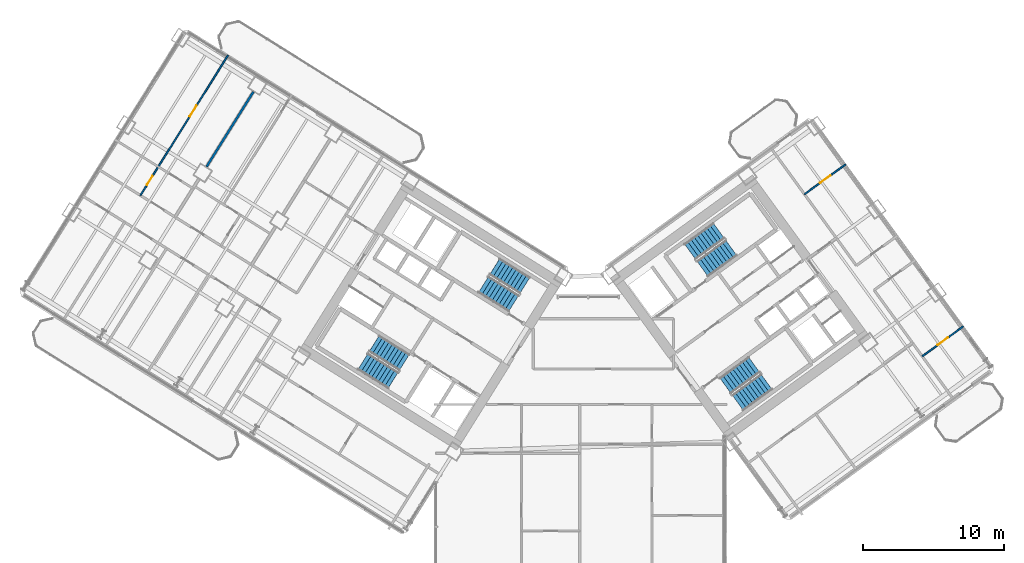
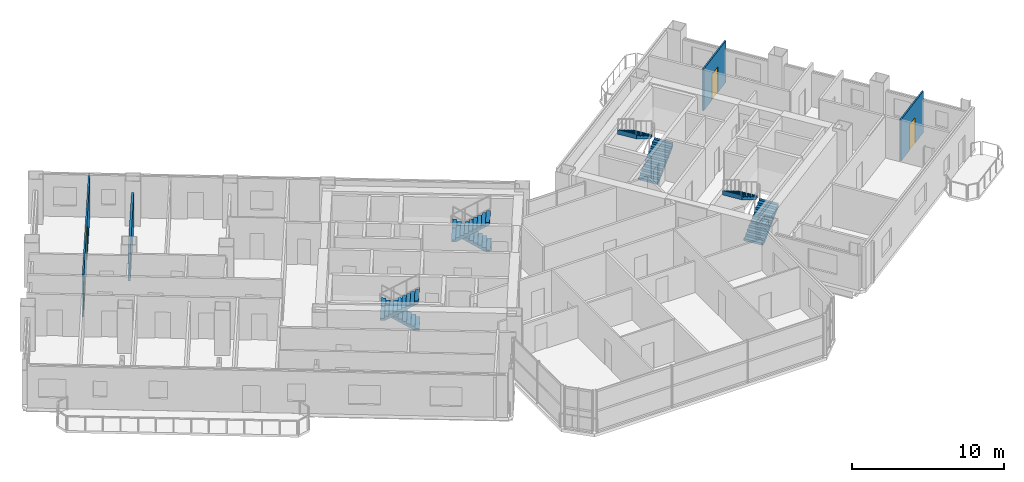
# One storey, part 20 of 28: 8 stair flights, 4 doors, 4 walls, 4 openings, 4 elements without a shape of their own.
"""IFC4 building model written with IfcOpenShell, lengths in metres."""

from ifc_helpers import new_model, si_unit, direction, frame, frame_2d, origin, place, context, subcontext, project, spatial, polyline, rectangle, outline, extrude, source, transform, mapped, material, layer, layer_set, type_object, element, fill, aggregate, save


model = new_model("IFC4")

# Units and contexts
model_context = context("Model", 3, precision=1e-05, world=origin(), true_north=direction((0.0, 1.0)))
body_context = subcontext(model_context, "Body", "Model", "MODEL_VIEW")
ifc_project = project(units=[si_unit("LENGTHUNIT", "METRE"), si_unit("AREAUNIT", "SQUARE_METRE"), si_unit("VOLUMEUNIT", "CUBIC_METRE"), si_unit("PLANEANGLEUNIT", "RADIAN"), si_unit("MASSUNIT", "GRAM", prefix="KILO")], contexts=[model_context])

# Site, building, storey
site_placement = place(None, origin())
site = spatial("IfcSite", under=ifc_project, at=site_placement, CompositionType="ELEMENT")
building_placement = place(site_placement, origin())
building = spatial("IfcBuilding", under=site, at=building_placement, Name="Tlacorven Tower", CompositionType="ELEMENT")
storey_placement = place(building_placement, frame((0.0, 0.0, 56.39990234375)))
storey = spatial("IfcBuildingStorey", under=building, at=storey_placement, Name="L14", CompositionType="ELEMENT", Elevation=56.39990234375)

# Wall
ifc_material_1 = material(Name="Gypsum plasterboard acoustic partition", Category="gypsum")
ifc_layer_1 = layer(ifc_material_1, 0.159912109375)
ifc_layer_set_1 = layer_set([ifc_layer_1], Name="Gypsum plasterboard acoustic partition")
wall_type_1 = type_object("IfcWallType", Name="WL-DEM-160", PredefinedType="PARTITIONING", material=ifc_layer_set_1)
wall_1_placement = place(storey_placement, frame((18.801513671875, 37.60009765625, 0.0), z_axis=(0.0, 0.0, 1.0), x_axis=(-0.529915015264, -0.848050751193, 0.0)))
element("IfcWall", 1, at=wall_1_placement, inside=storey, type_object=wall_type_1, Name="L14 WS Demising Wall 2", PredefinedType="PARTITIONING", context=body_context, shape_type="SweptSolid", body=[
    extrude(rectangle(XDim=6.27587890625, YDim=0.159912109375, at=frame_2d((3.137939453125, 0.0))), origin(), (0.0, 0.0, 1.0), 2.72509765625),
])

# Wall, openings, doors
ifc_material_2 = material(Name="Gypsum plasterboard partition", Category="gypsum")
ifc_layer_2 = layer(ifc_material_2, 0.110107421875)
ifc_layer_set_2 = layer_set([ifc_layer_2], Name="Gypsum plasterboard partition")
wall_type_2 = type_object("IfcWallType", Name="WL-INT-110", PredefinedType="PARTITIONING", material=ifc_layer_set_2)
wall_2_placement = place(storey_placement, frame((16.9951171875, 40.181640625, 0.0), z_axis=(0.0, 0.0, 1.0), x_axis=(-0.529927783988, -0.848042772363, 0.0)))
wall_2 = element("IfcWall", 2, at=wall_2_placement, inside=storey, type_object=wall_type_2, Name="L14 partition 64", PredefinedType="PARTITIONING", context=body_context, shape_type="SweptSolid", body=[
    extrude(rectangle(XDim=11.719970703125, YDim=0.110107421875, at=frame_2d((5.85986328125, 0.0))), origin(), (0.0, 0.0, 1.0), 3.340087890625),
])
opening_1_placement = place(wall_2_placement, frame((10.080078125, 0.0, 0.0)))
opening_1 = element("IfcOpeningElement", 3, at=opening_1_placement, cuts=wall_2, Name="Opening D22", PredefinedType="OPENING", context=body_context, shape_type="SweptSolid", body=[
    extrude(rectangle(XDim=0.780029296875, YDim=2.050048828125, at=frame_2d((0.39013671875, 1.02490234375))), frame((0.0, 0.06494140625, 0.0), z_axis=(0.0, -1.0, 0.0), x_axis=(1.0, 0.0, 0.0)), (0.0, 0.0, 1.0), 0.130126953125),
])
opening_2_placement = place(wall_2_placement, frame((4.199951171875, 0.0, 0.0)))
opening_2 = element("IfcOpeningElement", 4, at=opening_2_placement, cuts=wall_2, Name="Opening D12", PredefinedType="OPENING", context=body_context, shape_type="SweptSolid", body=[
    extrude(rectangle(XDim=0.919921875, YDim=2.080078125, at=frame_2d((0.4599609375, 1.0400390625))), frame((0.0, 0.06494140625, 0.0), z_axis=(0.0, -1.0, 0.0), x_axis=(1.0, 0.0, 0.0)), (0.0, 0.0, 1.0), 0.130126953125),
])
ifc_material_3 = material(Name="Powder-coated aluminium and timber door", Category="wood")
door_type_1 = type_object("IfcDoorType", Name="DR-INT-WET-0780", OperationType="NOTDEFINED", PredefinedType="DOOR", material=ifc_material_3)
shared_shape_1 = source(origin(), body_context, "Body", "SweptSolid", [
    extrude(rectangle(XDim=0.780029296875, YDim=2.050048828125, at=frame_2d((0.39013671875, 1.02490234375))), frame((0.0, 0.02490234375, 0.0), z_axis=(0.0, -1.0, 0.0), x_axis=(1.0, 0.0, 0.0)), (0.0, 0.0, 1.0), 0.050048828125),
])
door_1_placement = place(opening_1_placement, origin())
door_1 = element("IfcDoor", 5, at=door_1_placement, inside=storey, type_object=door_type_1, Name="L14 door 035", OperationType="SINGLE_SWING_LEFT", OverallHeight=2.050048828125, OverallWidth=0.780029296875, PredefinedType="DOOR", context=body_context, shape_type="MappedRepresentation", body=[
    mapped(shared_shape_1, transform((0.0, 0.0, 0.0), scale=1.0)),
])
fill(opening_1, door_1)
door_type_2 = type_object("IfcDoorType", Name="DR-INT-ROOM-0920", OperationType="NOTDEFINED", PredefinedType="DOOR", material=ifc_material_3)
shared_shape_2 = source(origin(), body_context, "Body", "SweptSolid", [
    extrude(rectangle(XDim=0.919921875, YDim=2.080078125, at=frame_2d((0.4599609375, 1.0400390625))), frame((0.0, 0.02490234375, 0.0), z_axis=(0.0, -1.0, 0.0), x_axis=(1.0, 0.0, 0.0)), (0.0, 0.0, 1.0), 0.050048828125),
])
door_2_placement = place(opening_2_placement, origin())
door_2 = element("IfcDoor", 6, at=door_2_placement, inside=storey, type_object=door_type_2, Name="L14 door 036", OperationType="SINGLE_SWING_RIGHT", OverallHeight=2.080078125, OverallWidth=0.919921875, PredefinedType="DOOR", context=body_context, shape_type="MappedRepresentation", body=[
    mapped(shared_shape_2, transform((0.0, 0.0, 0.0), scale=1.0)),
])
fill(opening_2, door_2)

# Wall, opening, door
wall_3_placement = place(storey_placement, frame((57.88916015625, 30.32421875, 0.0), z_axis=(0.0, 0.0, 1.0), x_axis=(0.809005039917, 0.58780170584, 0.0)))
wall_3 = element("IfcWall", 7, at=wall_3_placement, inside=storey, type_object=wall_type_2, Name="L14 partition 96", PredefinedType="PARTITIONING", context=body_context, shape_type="SweptSolid", body=[
    extrude(rectangle(XDim=3.610107421875, YDim=0.110107421875, at=frame_2d((1.80517578125, 0.0))), origin(), (0.0, 0.0, 1.0), 3.340087890625),
])
opening_3_placement = place(wall_3_placement, frame((1.344970703125, 0.0, 0.0)))
opening_3 = element("IfcOpeningElement", 8, at=opening_3_placement, cuts=wall_3, Name="Opening D12", PredefinedType="OPENING", context=body_context, shape_type="SweptSolid", body=[
    extrude(rectangle(XDim=0.919921875, YDim=2.080078125, at=frame_2d((0.4599609375, 1.0400390625))), frame((0.0, 0.06494140625, 0.0), z_axis=(0.0, -1.0, 0.0), x_axis=(1.0, 0.0, 0.0)), (0.0, 0.0, 1.0), 0.130126953125),
])
door_3_placement = place(opening_3_placement, origin())
door_3 = element("IfcDoor", 9, at=door_3_placement, inside=storey, type_object=door_type_2, Name="L14 door 056", OperationType="SINGLE_SWING_RIGHT", OverallHeight=2.080078125, OverallWidth=0.919921875, PredefinedType="DOOR", context=body_context, shape_type="MappedRepresentation", body=[
    mapped(shared_shape_2, transform((0.0, 0.0, 0.0), scale=1.0)),
])
fill(opening_3, door_3)

wall_4_placement = place(storey_placement, frame((66.23828125, 18.8330078125, 0.0), z_axis=(0.0, 0.0, 1.0), x_axis=(0.809013833588, 0.587789602718, 0.0)))
wall_4 = element("IfcWall", 10, at=wall_4_placement, inside=storey, type_object=wall_type_2, Name="L14 partition 97", PredefinedType="PARTITIONING", context=body_context, shape_type="SweptSolid", body=[
    extrude(rectangle(XDim=3.60986328125, YDim=0.110107421875, at=frame_2d((1.804931640625, 0.0))), origin(), (0.0, 0.0, 1.0), 3.340087890625),
])
opening_4_placement = place(wall_4_placement, frame((1.344970703125, 0.0, 0.0)))
opening_4 = element("IfcOpeningElement", 11, at=opening_4_placement, cuts=wall_4, Name="Opening D12", PredefinedType="OPENING", context=body_context, shape_type="SweptSolid", body=[
    extrude(rectangle(XDim=0.919921875, YDim=2.080078125, at=frame_2d((0.4599609375, 1.0400390625))), frame((0.0, 0.06494140625, 0.0), z_axis=(0.0, -1.0, 0.0), x_axis=(1.0, 0.0, 0.0)), (0.0, 0.0, 1.0), 0.130126953125),
])
door_4_placement = place(opening_4_placement, origin())
door_4 = element("IfcDoor", 12, at=door_4_placement, inside=storey, type_object=door_type_2, Name="L14 door 058", OperationType="SINGLE_SWING_RIGHT", OverallHeight=2.080078125, OverallWidth=0.919921875, PredefinedType="DOOR", context=body_context, shape_type="MappedRepresentation", body=[
    mapped(shared_shape_2, transform((0.0, 0.0, 0.0), scale=1.0)),
])
fill(opening_4, door_4)

# Stair, stair flights
ifc_material_4 = material(Name="Concrete C40/50", Category="concrete")
stair_type = type_object("IfcStairType", Name="ST-CORE-DLG", PredefinedType="HALF_TURN_STAIR", material=ifc_material_4)
stair_1_placement = place(storey_placement, origin())
stair_1 = element("IfcStair", 13, at=stair_1_placement, inside=storey, type_object=stair_type, Name="L14 Protected Exit Stair West 1", PredefinedType="HALF_TURN_STAIR")
stair_flight_type = type_object("IfcStairFlightType", Name="SFL-RC-1380", PredefinedType="STRAIGHT", material=ifc_material_4)
shared_shape_3 = source(origin(), body_context, "Body", "SweptSolid", [
    extrude(outline(polyline([(-0.0029296875, -0.0029296875), (-0.0029296875, 0.179931640625), (0.280029296875, 0.179931640625), (0.280029296875, 0.360107421875), (0.56005859375, 0.360107421875), (0.56005859375, 0.5400390625), (0.840087890625, 0.5400390625), (0.840087890625, 0.719970703125), (1.1201171875, 0.719970703125), (1.1201171875, 0.89990234375), (1.39990234375, 0.89990234375), (1.39990234375, 1.080078125), (1.679931640625, 1.080078125), (1.679931640625, 1.260009765625), (1.9599609375, 1.260009765625), (1.9599609375, 1.43994140625), (2.239990234375, 1.43994140625), (2.239990234375, 1.6201171875), (2.52001953125, 1.6201171875), (2.52001953125, 1.800048828125), (2.52294921875, 1.800048828125), (2.52294921875, 1.429931640625), (2.52001953125, 1.429931640625), (0.295654296875, 0.0), (0.295654296875, -0.0029296875), (-0.0029296875, -0.0029296875)])), frame((0.0, 0.68994140625, 0.0), z_axis=(0.0, -1.0, 0.0), x_axis=(1.0, 0.0, 0.0)), (0.0, 0.0, 1.0), 1.3798828125),
])
stair_flight_1_placement = place(storey_placement, frame((29.499755859375, 18.39453125, 0.0), z_axis=(0.0, 0.0, 1.0), x_axis=(-0.848048096156, 0.529919264233, 0.0)))
stair_flight_1 = element("IfcStairFlight", 14, at=stair_flight_1_placement, type_object=stair_flight_type, Name="ST-W1 flight 1", NumberOfRisers=10, NumberOfTreads=9, PredefinedType="STRAIGHT", RiserHeight=0.18, TreadLength=0.28, context=body_context, shape_type="MappedRepresentation", body=[
    mapped(shared_shape_3, transform((0.0, 0.0, 0.0), scale=1.0)),
])
stair_flight_2_placement = place(storey_placement, frame((26.56787109375, 18.4580078125, 1.800048828125), z_axis=(0.0, 0.0, 1.0), x_axis=(0.848048096156, -0.529919264233, 0.0)))
stair_flight_2 = element("IfcStairFlight", 15, at=stair_flight_2_placement, type_object=stair_flight_type, Name="ST-W1 flight 2", NumberOfRisers=10, NumberOfTreads=9, PredefinedType="STRAIGHT", RiserHeight=0.18, TreadLength=0.28, context=body_context, shape_type="MappedRepresentation", body=[
    mapped(shared_shape_3, transform((0.0, 0.0, 0.0), scale=1.0)),
])
aggregate(stair_1, [stair_flight_1, stair_flight_2])

stair_2_placement = place(storey_placement, origin())
stair_2 = element("IfcStair", 16, at=stair_2_placement, inside=storey, type_object=stair_type, Name="L14 Protected Exit Stair West 2", PredefinedType="HALF_TURN_STAIR")
stair_flight_3_placement = place(storey_placement, frame((38.051513671875, 23.852294921875, 0.0), z_axis=(0.0, 0.0, 1.0), x_axis=(-0.848048096156, 0.529919264233, 0.0)))
stair_flight_3 = element("IfcStairFlight", 17, at=stair_flight_3_placement, type_object=stair_flight_type, Name="ST-W2 flight 1", NumberOfRisers=10, NumberOfTreads=9, PredefinedType="STRAIGHT", RiserHeight=0.18, TreadLength=0.28, context=body_context, shape_type="MappedRepresentation", body=[
    mapped(shared_shape_3, transform((0.0, 0.0, 0.0), scale=1.0)),
])
stair_flight_4_placement = place(storey_placement, frame((35.119384765625, 23.91552734375, 1.800048828125), z_axis=(0.0, 0.0, 1.0), x_axis=(0.848048096156, -0.529919264233, 0.0)))
stair_flight_4 = element("IfcStairFlight", 18, at=stair_flight_4_placement, type_object=stair_flight_type, Name="ST-W2 flight 2", NumberOfRisers=10, NumberOfTreads=9, PredefinedType="STRAIGHT", RiserHeight=0.18, TreadLength=0.28, context=body_context, shape_type="MappedRepresentation", body=[
    mapped(shared_shape_3, transform((0.0, 0.0, 0.0), scale=1.0)),
])
aggregate(stair_2, [stair_flight_3, stair_flight_4])

stair_3_placement = place(storey_placement, origin())
stair_3 = element("IfcStair", 19, at=stair_3_placement, inside=storey, type_object=stair_type, Name="L14 Protected Exit Stair East 1", PredefinedType="HALF_TURN_STAIR")
stair_flight_5_placement = place(storey_placement, frame((50.6533203125, 25.0400390625, 0.0), z_axis=(0.0, 0.0, 1.0), x_axis=(0.809016994375, 0.587785252292, 0.0)))
stair_flight_5 = element("IfcStairFlight", 20, at=stair_flight_5_placement, type_object=stair_flight_type, Name="ST-E1 flight 1", NumberOfRisers=10, NumberOfTreads=9, PredefinedType="STRAIGHT", RiserHeight=0.18, TreadLength=0.28, context=body_context, shape_type="MappedRepresentation", body=[
    mapped(shared_shape_3, transform((0.0, 0.0, 0.0), scale=1.0)),
])
stair_flight_6_placement = place(storey_placement, frame((51.810546875, 27.734619140625, 1.800048828125), z_axis=(0.0, 0.0, 1.0), x_axis=(-0.809016994375, -0.587785252292, 0.0)))
stair_flight_6 = element("IfcStairFlight", 21, at=stair_flight_6_placement, type_object=stair_flight_type, Name="ST-E1 flight 2", NumberOfRisers=10, NumberOfTreads=9, PredefinedType="STRAIGHT", RiserHeight=0.18, TreadLength=0.28, context=body_context, shape_type="MappedRepresentation", body=[
    mapped(shared_shape_3, transform((0.0, 0.0, 0.0), scale=1.0)),
])
aggregate(stair_3, [stair_flight_5, stair_flight_6])

stair_4_placement = place(storey_placement, origin())
stair_4 = element("IfcStair", 22, at=stair_4_placement, inside=storey, type_object=stair_type, Name="L14 Protected Exit Stair East 2", PredefinedType="HALF_TURN_STAIR")
stair_flight_7_placement = place(storey_placement, frame((53.157470703125, 15.536865234375, 0.0), z_axis=(0.0, 0.0, 1.0), x_axis=(0.809016994375, 0.587785252292, 0.0)))
stair_flight_7 = element("IfcStairFlight", 23, at=stair_flight_7_placement, type_object=stair_flight_type, Name="ST-E2 flight 1", NumberOfRisers=10, NumberOfTreads=9, PredefinedType="STRAIGHT", RiserHeight=0.18, TreadLength=0.28, context=body_context, shape_type="MappedRepresentation", body=[
    mapped(shared_shape_3, transform((0.0, 0.0, 0.0), scale=1.0)),
])
stair_flight_8_placement = place(storey_placement, frame((54.314453125, 18.231689453125, 1.800048828125), z_axis=(0.0, 0.0, 1.0), x_axis=(-0.809016994375, -0.587785252292, 0.0)))
stair_flight_8 = element("IfcStairFlight", 24, at=stair_flight_8_placement, type_object=stair_flight_type, Name="ST-E2 flight 2", NumberOfRisers=10, NumberOfTreads=9, PredefinedType="STRAIGHT", RiserHeight=0.18, TreadLength=0.28, context=body_context, shape_type="MappedRepresentation", body=[
    mapped(shared_shape_3, transform((0.0, 0.0, 0.0), scale=1.0)),
])
aggregate(stair_4, [stair_flight_7, stair_flight_8])

save(model, "model.ifc")
